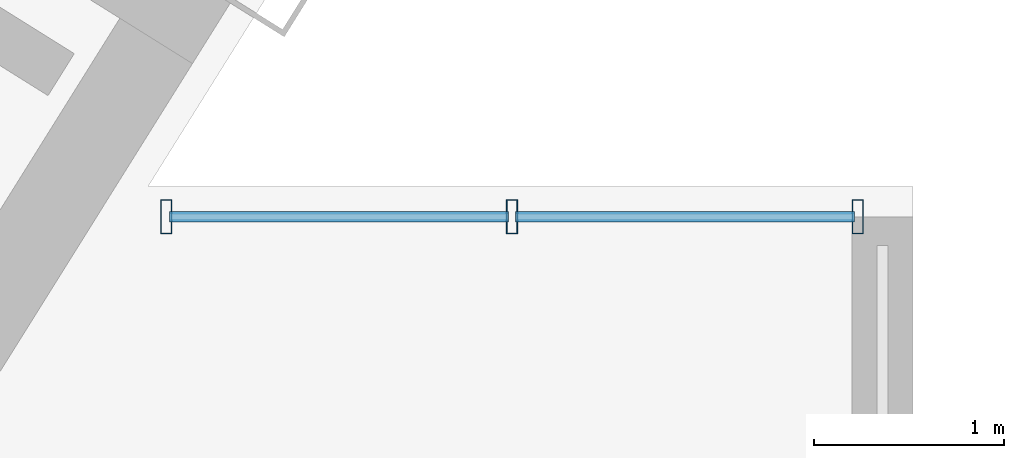
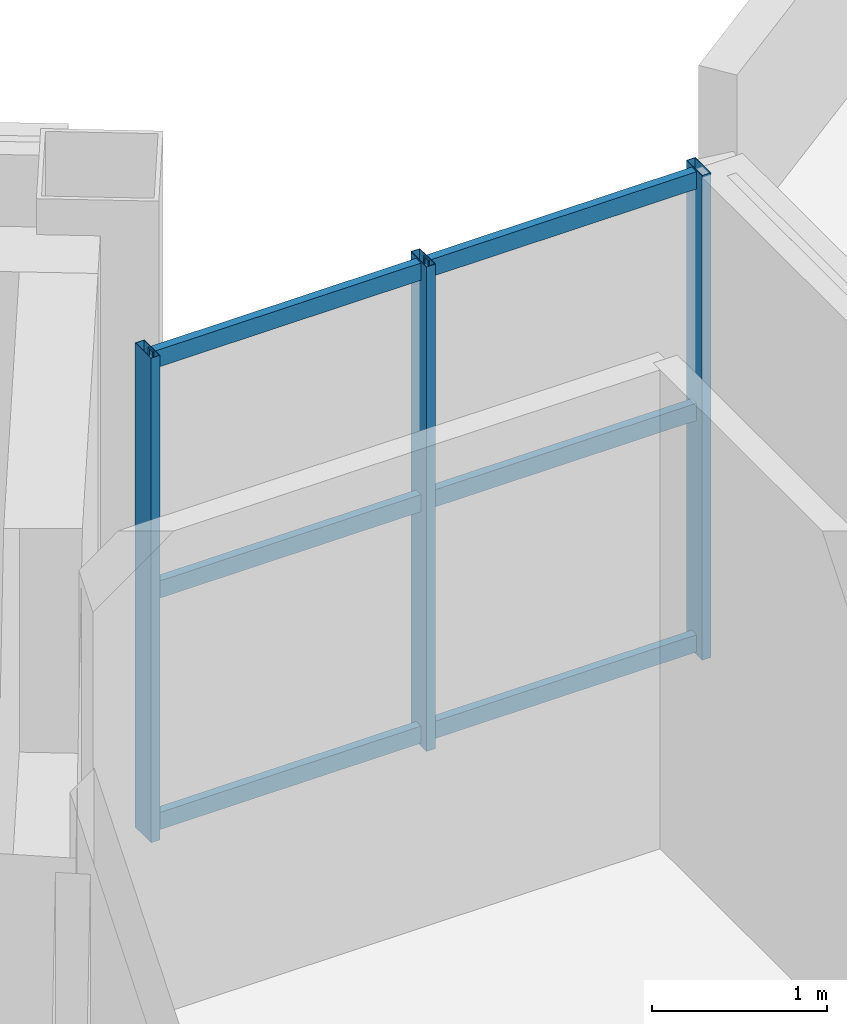
# One storey, part 3 of 14: 9 members, 1 element without a shape of its own.
"""IFC4 building model written with IfcOpenShell, lengths in metres."""

import ifcopenshell
import ifcopenshell.guid

model = None  # the IFC model being written
_history = None  # IfcOwnerHistory: only IFC2X3 demands one
_inside = {}  # id of a spatial element -> (the spatial element, [elements in it])
_under = {}  # id of a project, library or spatial element -> (it, [spatial elements below it])
_declared = {}  # id of a project -> (the project, [libraries it declares])
_typed = {}  # id of a type object -> (the type object, [elements of that type])
_made_of = {}  # id of a material, layer set ... -> (it, [elements and type objects made of it])


def new_model(schema):
    """Start an empty IFC model of exactly this schema.

    Asked for "IFC4X3", IfcOpenShell would pick the latest addendum, in which some entities
    have other attributes; the version numbers below select the first issue.
    IFC2X3 requires an IfcOwnerHistory on every rooted entity: one is made here for all.
    """
    global model, _history
    if schema == "IFC4X3":
        model = ifcopenshell.file(schema_version=(4, 3, 0, 0))
    else:
        model = ifcopenshell.file(schema=schema)
    _inside.clear()
    _under.clear()
    _declared.clear()
    _typed.clear()
    _made_of.clear()
    _history = None
    if model.schema == "IFC2X3":
        org = make("IfcOrganization", Name="unknown")
        user = make(
            "IfcPersonAndOrganization",
            ThePerson=make("IfcPerson", FamilyName="unknown"),
            TheOrganization=org,
        )
        app = make(
            "IfcApplication",
            ApplicationDeveloper=org,
            Version="unknown",
            ApplicationFullName="unknown",
            ApplicationIdentifier="unknown",
        )
        _history = make(
            "IfcOwnerHistory",
            OwningUser=user,
            OwningApplication=app,
            ChangeAction="ADDED",
            CreationDate=0,
        )
    return model


def make(cls, **values):
    """One entity of the class cls with the attributes given. An attribute that is None is left unset."""
    return model.create_entity(
        cls, **{name: value for name, value in values.items() if value is not None}
    )


def rooted(cls, **values):
    """An entity with a GlobalId (a new one), such as an element, a storey or a relation."""
    return make(cls, GlobalId=ifcopenshell.guid.new(), OwnerHistory=_history, **values)


def si_unit(unit_type, name, prefix=None):
    """IfcSIUnit, for example si_unit("LENGTHUNIT", "METRE", prefix="MILLI")."""
    return make("IfcSIUnit", UnitType=unit_type, Prefix=prefix, Name=name)


def assignment(units):
    """IfcUnitAssignment: the units of a project."""
    return None if units is None else make("IfcUnitAssignment", Units=units)


def point(xyz):
    """IfcCartesianPoint."""
    return None if xyz is None else make("IfcCartesianPoint", Coordinates=xyz)


def direction(xyz):
    """IfcDirection."""
    return None if xyz is None else make("IfcDirection", DirectionRatios=xyz)


def frame(location, z_axis=None, x_axis=None):
    """IfcAxis2Placement3D, a coordinate frame: its origin and axes. An axis left out is left unset."""
    return make(
        "IfcAxis2Placement3D",
        Location=point(location),
        Axis=direction(z_axis),
        RefDirection=direction(x_axis),
    )


def frame_2d(location, x_axis=None):
    """IfcAxis2Placement2D, a coordinate frame in the plane: its origin and x axis."""
    return make(
        "IfcAxis2Placement2D", Location=point(location), RefDirection=direction(x_axis)
    )


def origin():
    """The frame at (0, 0, 0) with its axes left unset."""
    return frame((0.0, 0.0, 0.0))


def origin_2d():
    """The frame at (0, 0) in the plane with its x axis left unset."""
    return frame_2d((0.0, 0.0))


def place(relative_to, where):
    """IfcLocalPlacement: puts the frame where relative to a parent placement (None: the world)."""
    return make(
        "IfcLocalPlacement", PlacementRelTo=relative_to, RelativePlacement=where
    )


def context(
    kind, dimensions, precision=None, world=None, true_north=None, identifier=None
):
    """IfcGeometricRepresentationContext, for example the 3D "Model" context."""
    return make(
        "IfcGeometricRepresentationContext",
        ContextIdentifier=identifier,
        ContextType=kind,
        CoordinateSpaceDimension=dimensions,
        Precision=precision,
        WorldCoordinateSystem=world,
        TrueNorth=true_north,
    )


def subcontext(parent, identifier, kind, view, scale=None):
    """IfcGeometricRepresentationSubContext, for example "Body" below "Model"."""
    return make(
        "IfcGeometricRepresentationSubContext",
        ContextIdentifier=identifier,
        ContextType=kind,
        ParentContext=parent,
        TargetScale=scale,
        TargetView=view,
    )


def project(units=None, contexts=None):
    """IfcProject with its units and contexts."""
    return rooted(
        "IfcProject",
        Name="project",
        RepresentationContexts=contexts,
        UnitsInContext=assignment(units),
    )


def spatial(cls, under=None, at=None, **own):
    """A site, building, storey or space (cls), placed at a placement, below another one or the project."""
    s = rooted(cls, ObjectPlacement=at, **own)
    if under is not None:
        _under.setdefault(under.id(), (under, []))[1].append(s)
    return s


def profile(cls, at=None, kind="AREA", **sizes):
    """A parametric profile (cls). Its sizes go by their IFC names, for example OverallWidth=200.0."""
    return make(cls, ProfileType=kind, Position=at, **sizes)


def hollow_rectangle(**sizes):
    """IfcRectangleHollowProfileDef."""
    return profile("IfcRectangleHollowProfileDef", **sizes)


def extrude(swept, where, along, depth):
    """IfcExtrudedAreaSolid: the profile swept, set in the frame where, extruded along a direction by depth."""
    return make(
        "IfcExtrudedAreaSolid",
        SweptArea=swept,
        Position=where,
        ExtrudedDirection=direction(along),
        Depth=depth,
    )


def shape(context_of_items, identifier, shape_type, items):
    """IfcShapeRepresentation: the items that make up one representation, for example the "Body"."""
    return make(
        "IfcShapeRepresentation",
        ContextOfItems=context_of_items,
        RepresentationIdentifier=identifier,
        RepresentationType=shape_type,
        Items=items,
    )


def source(mapping_origin, context_of_items, identifier, shape_type, items):
    """IfcRepresentationMap: a shape defined once, which mapped items show again and again."""
    return make(
        "IfcRepresentationMap",
        MappingOrigin=mapping_origin,
        MappedRepresentation=shape(context_of_items, identifier, shape_type, items),
    )


def transform(
    local_origin,
    x_axis=None,
    y_axis=None,
    z_axis=None,
    scale=None,
    scale2=None,
    scale3=None,
    uniform=True,
):
    """IfcCartesianTransformationOperator3D, or its non-uniform kind. x_axis, y_axis, z_axis: its Axis1, 2, 3."""
    if uniform:
        return make(
            "IfcCartesianTransformationOperator3D",
            Axis1=direction(x_axis),
            Axis2=direction(y_axis),
            LocalOrigin=point(local_origin),
            Scale=scale,
            Axis3=direction(z_axis),
        )
    return make(
        "IfcCartesianTransformationOperator3DnonUniform",
        Axis1=direction(x_axis),
        Axis2=direction(y_axis),
        LocalOrigin=point(local_origin),
        Scale=scale,
        Axis3=direction(z_axis),
        Scale2=scale2,
        Scale3=scale3,
    )


def mapped(mapping_source, mapping_target):
    """IfcMappedItem: shows the shape of a source again, moved by a transform."""
    return make(
        "IfcMappedItem", MappingSource=mapping_source, MappingTarget=mapping_target
    )


def material(Name=None, Category=None):
    """IfcMaterial."""
    return make("IfcMaterial", Name=Name, Category=Category)


def material_profile(
    of_material, cross_section, Name=None, Category=None, Priority=None
):
    """IfcMaterialProfile: a cross section and its material."""
    return make(
        "IfcMaterialProfile",
        Name=Name,
        Material=of_material,
        Profile=cross_section,
        Priority=Priority,
        Category=Category,
    )


def profile_set(profiles, Name=None, composite=None):
    """IfcMaterialProfileSet."""
    return make(
        "IfcMaterialProfileSet",
        Name=Name,
        MaterialProfiles=profiles,
        CompositeProfile=composite,
    )


def made_of(thing, what):
    """Note that an element or type object is made of a material, layer set ...; save() writes the relation."""
    if what is not None:
        _made_of.setdefault(what.id(), (what, []))[1].append(thing)
    return thing


def type_object(cls, material=None, **own):
    """A type object (cls), such as IfcWallType, which elements share."""
    return made_of(rooted(cls, **own), material)


def element(
    cls,
    number,
    at=None,
    inside=None,
    cuts=None,
    type_object=None,
    material=None,
    context=None,
    identifier="Body",
    shape_type=None,
    held_by="IfcProductDefinitionShape",
    body=None,
    shapes=None,
    **own,
):
    """One element of the class cls, such as IfcWall. Its Tag is "e" and its number.

    at: its placement. inside: the storey or other place that contains it. cuts: it is an
    opening in that element (IfcRelVoidsElement). A single representation is given by context,
    identifier, shape_type and body (its items); several are given by shapes. held_by: the class
    of the entity that holds the representations. save() writes the other relations.
    """
    e = rooted(cls, Tag="e%d" % number, ObjectPlacement=at, **own)
    if body is not None:
        shapes = [shape(context, identifier, shape_type, body)]
    if shapes is not None:
        e.Representation = make(held_by, Representations=shapes)
    if inside is not None:
        _inside.setdefault(inside.id(), (inside, []))[1].append(e)
    if cuts is not None:
        rooted(
            "IfcRelVoidsElement", RelatingBuildingElement=cuts, RelatedOpeningElement=e
        )
    if type_object is not None:
        _typed.setdefault(type_object.id(), (type_object, []))[1].append(e)
    return made_of(e, material)


def aggregate(whole, parts):
    """IfcRelAggregates: a whole, such as a stair, and the parts it consists of."""
    return rooted("IfcRelAggregates", RelatingObject=whole, RelatedObjects=parts)


def save(model, path):
    """Write the relations noted so far, then the file.

    IfcRelAggregates (storeys below a building ...), IfcRelContainedInSpatialStructure (elements
    in a storey), IfcRelDefinesByType, IfcRelAssociatesMaterial and IfcRelDeclares: one each for
    every whole, place, type object, material and project.
    """
    for whole, parts in _under.values():
        aggregate(whole, parts)
    for where, things in _inside.values():
        rooted(
            "IfcRelContainedInSpatialStructure",
            RelatedElements=things,
            RelatingStructure=where,
        )
    for kind, things in _typed.values():
        rooted("IfcRelDefinesByType", RelatedObjects=things, RelatingType=kind)
    for what, things in _made_of.values():
        rooted("IfcRelAssociatesMaterial", RelatedObjects=things, RelatingMaterial=what)
    for by, libraries in _declared.values():
        rooted("IfcRelDeclares", RelatingContext=by, RelatedDefinitions=libraries)
    model.write(path)


model = new_model("IFC4")

# Units and contexts
model_context = context("Model", 3, precision=1e-05, world=origin(), true_north=direction((0.0, 1.0)))
body_context = subcontext(model_context, "Body", "Model", "MODEL_VIEW")
ifc_project = project(units=[si_unit("LENGTHUNIT", "METRE"), si_unit("AREAUNIT", "SQUARE_METRE"), si_unit("VOLUMEUNIT", "CUBIC_METRE"), si_unit("PLANEANGLEUNIT", "RADIAN"), si_unit("MASSUNIT", "GRAM", prefix="KILO")], contexts=[model_context])

# Site, building, storey
site_placement = place(None, origin())
site = spatial("IfcSite", under=ifc_project, at=site_placement, CompositionType="ELEMENT")
building_placement = place(site_placement, origin())
building = spatial("IfcBuilding", under=site, at=building_placement, Name="Tlacorven Tower", CompositionType="ELEMENT")
storey_placement = place(building_placement, frame((0.0, 0.0, 262.800048828125)))
storey = spatial("IfcBuildingStorey", under=building, at=storey_placement, Name="L66", CompositionType="ELEMENT", Elevation=262.800048828125)

# Curtain wall, members
ifc_material_1 = material(Name="Dark solar low-E double glazing in aluminium frame", Category="aluminium")
curtain_wall_type = type_object("IfcCurtainWallType", Name="CW-TWR-HIGH", PredefinedType="USERDEFINED", material=ifc_material_1)
curtain_wall_placement = place(storey_placement, origin())
curtain_wall = element("IfcCurtainWall", 1, at=curtain_wall_placement, inside=storey, type_object=curtain_wall_type, Name="L66 CW-TWR-HIGH Curtain Wall 308", ObjectType="UNITISED CURTAIN WALL", PredefinedType="USERDEFINED")
ifc_material_2 = material(Name="Aluminium 6063-T6 anodised", Category="aluminium")
ifc_material_profile_1 = material_profile(ifc_material_2, hollow_rectangle(XDim=0.06005859375, YDim=0.179931640625, WallThickness=0.00390625, at=origin_2d()), Name="ALU MULLION 60X180")
ifc_profile_set_1 = profile_set([ifc_material_profile_1], Name="Aluminium 6063-T6 anodised")
member_type_1 = type_object("IfcMemberType", Name="CWM-03", PredefinedType="MULLION", material=ifc_profile_set_1)
shared_shape_1 = source(origin(), body_context, "Body", "SweptSolid", [
    extrude(hollow_rectangle(XDim=0.06005859375, YDim=0.179931640625, WallThickness=0.00390625, at=origin_2d()), origin(), (0.0, 0.0, 1.0), 3.3798828125),
])
member_1_placement = place(storey_placement, frame((40.27392578125, 23.0400390625, -0.02001953125), z_axis=(0.0, 0.0, 1.0), x_axis=(1.0, 0.0, 0.0)))
member_1 = element("IfcMember", 2, at=member_1_placement, type_object=member_type_1, Name="CW-L66-308 Mullion 1", PredefinedType="MULLION", context=body_context, shape_type="MappedRepresentation", body=[
    mapped(shared_shape_1, transform((0.0, 0.0, 0.0), scale=1.0)),
])
member_2_placement = place(storey_placement, frame((42.092041015625, 23.0400390625, -0.02001953125), z_axis=(0.0, 0.0, 1.0), x_axis=(1.0, 0.0, 0.0)))
member_2 = element("IfcMember", 3, at=member_2_placement, type_object=member_type_1, Name="CW-L66-308 Mullion 2", PredefinedType="MULLION", context=body_context, shape_type="MappedRepresentation", body=[
    mapped(shared_shape_1, transform((0.0, 0.0, 0.0), scale=1.0)),
])
member_3_placement = place(storey_placement, frame((43.909912109375, 23.0400390625, -0.02001953125), z_axis=(0.0, 0.0, 1.0), x_axis=(1.0, 0.0, 0.0)))
member_3 = element("IfcMember", 4, at=member_3_placement, type_object=member_type_1, Name="CW-L66-308 Mullion 3", PredefinedType="MULLION", context=body_context, shape_type="MappedRepresentation", body=[
    mapped(shared_shape_1, transform((0.0, 0.0, 0.0), scale=1.0)),
])
ifc_material_profile_2 = material_profile(ifc_material_2, hollow_rectangle(XDim=0.054931640625, YDim=0.1201171875, WallThickness=0.00341796875, at=origin_2d()), Name="ALU TRANSOM 55X120")
ifc_profile_set_2 = profile_set([ifc_material_profile_2], Name="Aluminium 6063-T6 anodised")
member_type_2 = type_object("IfcMemberType", Name="CWT-03", PredefinedType="USERDEFINED", material=ifc_profile_set_2)
shared_shape_2 = source(origin(), body_context, "Body", "SweptSolid", [
    extrude(hollow_rectangle(XDim=0.054931640625, YDim=0.1201171875, WallThickness=0.00341796875, at=origin_2d()), origin(), (0.0, 0.0, 1.0), 1.781982421875),
])
member_4_placement = place(storey_placement, frame((40.2919921875, 23.0400390625, 0.06005859375), z_axis=(1.0, 0.0, 0.0), x_axis=(0.0, 1.0, 0.0)))
member_4 = element("IfcMember", 5, at=member_4_placement, type_object=member_type_2, Name="CW-L66-308 Transom 1", ObjectType="TRANSOM", PredefinedType="USERDEFINED", context=body_context, shape_type="MappedRepresentation", body=[
    mapped(shared_shape_2, transform((0.0, 0.0, 0.0), scale=1.0)),
])
member_5_placement = place(storey_placement, frame((40.2919921875, 23.0400390625, 1.675048828125), z_axis=(1.0, 0.0, 0.0), x_axis=(0.0, 1.0, 0.0)))
member_5 = element("IfcMember", 6, at=member_5_placement, type_object=member_type_2, Name="CW-L66-308 Transom 2", ObjectType="TRANSOM", PredefinedType="USERDEFINED", context=body_context, shape_type="MappedRepresentation", body=[
    mapped(shared_shape_2, transform((0.0, 0.0, 0.0), scale=1.0)),
])
member_6_placement = place(storey_placement, frame((40.2919921875, 23.0400390625, 3.2900390625), z_axis=(1.0, 0.0, 0.0), x_axis=(0.0, 1.0, 0.0)))
member_6 = element("IfcMember", 7, at=member_6_placement, type_object=member_type_2, Name="CW-L66-308 Transom 3", ObjectType="TRANSOM", PredefinedType="USERDEFINED", context=body_context, shape_type="MappedRepresentation", body=[
    mapped(shared_shape_2, transform((0.0, 0.0, 0.0), scale=1.0)),
])
shared_shape_3 = source(origin(), body_context, "Body", "SweptSolid", [
    extrude(hollow_rectangle(XDim=0.054931640625, YDim=0.1201171875, WallThickness=0.00341796875, at=origin_2d()), origin(), (0.0, 0.0, 1.0), 1.7822265625),
])
member_7_placement = place(storey_placement, frame((42.10986328125, 23.0400390625, 0.06005859375), z_axis=(1.0, 0.0, 0.0), x_axis=(0.0, 1.0, 0.0)))
member_7 = element("IfcMember", 8, at=member_7_placement, type_object=member_type_2, Name="CW-L66-308 Transom 4", ObjectType="TRANSOM", PredefinedType="USERDEFINED", context=body_context, shape_type="MappedRepresentation", body=[
    mapped(shared_shape_3, transform((0.0, 0.0, 0.0), scale=1.0)),
])
member_8_placement = place(storey_placement, frame((42.10986328125, 23.0400390625, 1.675048828125), z_axis=(1.0, 0.0, 0.0), x_axis=(0.0, 1.0, 0.0)))
member_8 = element("IfcMember", 9, at=member_8_placement, type_object=member_type_2, Name="CW-L66-308 Transom 5", ObjectType="TRANSOM", PredefinedType="USERDEFINED", context=body_context, shape_type="MappedRepresentation", body=[
    mapped(shared_shape_3, transform((0.0, 0.0, 0.0), scale=1.0)),
])
member_9_placement = place(storey_placement, frame((42.10986328125, 23.0400390625, 3.2900390625), z_axis=(1.0, 0.0, 0.0), x_axis=(0.0, 1.0, 0.0)))
member_9 = element("IfcMember", 10, at=member_9_placement, type_object=member_type_2, Name="CW-L66-308 Transom 6", ObjectType="TRANSOM", PredefinedType="USERDEFINED", context=body_context, shape_type="MappedRepresentation", body=[
    mapped(shared_shape_3, transform((0.0, 0.0, 0.0), scale=1.0)),
])
aggregate(curtain_wall, [member_1, member_2, member_3, member_4, member_5, member_6, member_7, member_8, member_9])

save(model, "model.ifc")
